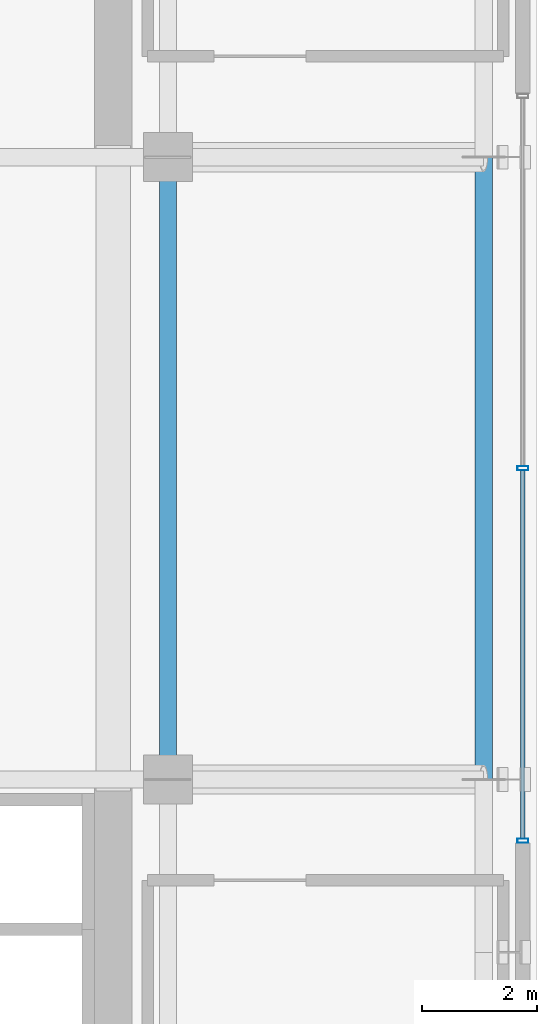
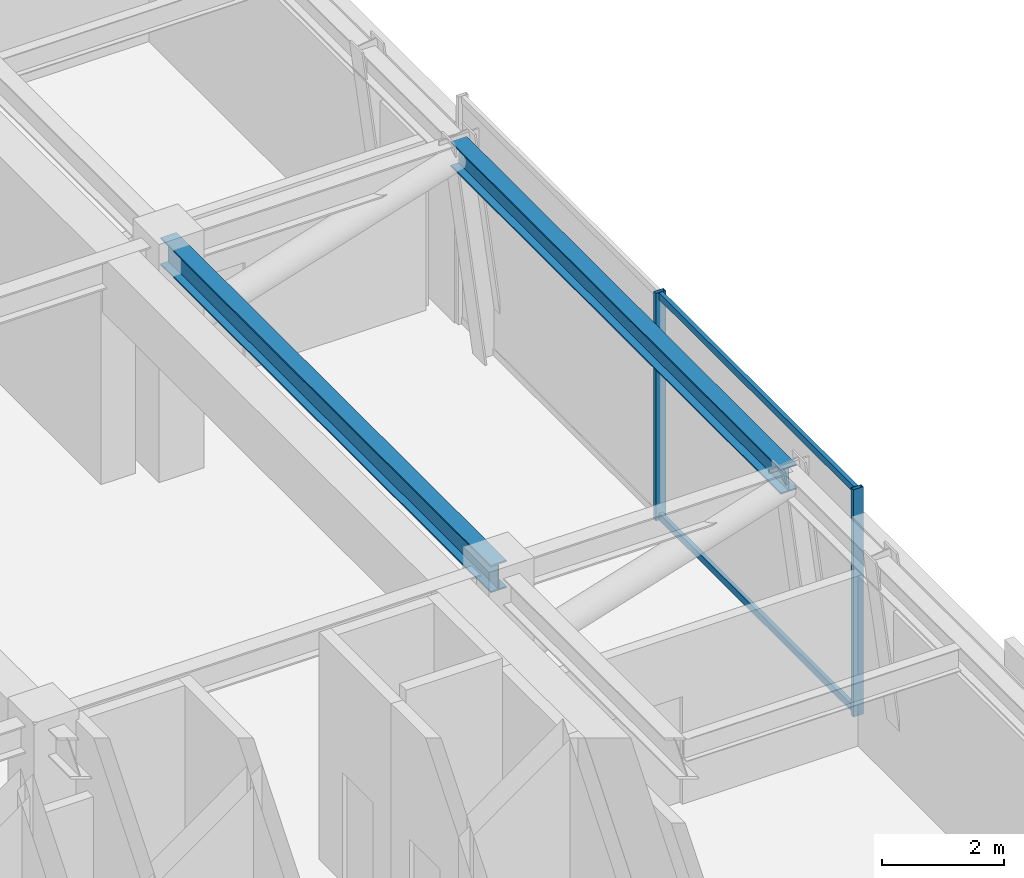
# One storey, part 6 of 15: 4 members, 2 beams, 1 element without a shape of its own.
"""IFC4 building model written with IfcOpenShell, lengths in metres."""

from ifc_helpers import new_model, si_unit, direction, frame, origin, origin_2d, place, context, subcontext, project, spatial, hollow_rectangle, i_section, extrude, source, transform, mapped, material, material_profile, profile_set, type_object, element, aggregate, save


model = new_model("IFC4")

# Units and contexts
model_context = context("Model", 3, precision=1e-05, world=origin(), true_north=direction((0.0, 1.0)))
body_context = subcontext(model_context, "Body", "Model", "MODEL_VIEW")
ifc_project = project(units=[si_unit("LENGTHUNIT", "METRE"), si_unit("AREAUNIT", "SQUARE_METRE"), si_unit("VOLUMEUNIT", "CUBIC_METRE"), si_unit("PLANEANGLEUNIT", "RADIAN"), si_unit("MASSUNIT", "GRAM", prefix="KILO")], contexts=[model_context])

# Site, building, storey
site_placement = place(None, origin())
site = spatial("IfcSite", under=ifc_project, at=site_placement, CompositionType="ELEMENT")
building_placement = place(site_placement, origin())
building = spatial("IfcBuilding", under=site, at=building_placement, Name="Nahalor Promenade Grand Hotel", CompositionType="ELEMENT")
storey_placement = place(building_placement, frame((0.0, 0.0, 144.199951171875)))
storey = spatial("IfcBuildingStorey", under=building, at=storey_placement, Name="L36", CompositionType="ELEMENT", Elevation=144.199951171875)

# Beams
ifc_material_1 = material(Name="Steel S355JR", Category="steel")
ifc_material_profile_1 = material_profile(ifc_material_1, i_section(OverallWidth=0.3, OverallDepth=0.5, WebThickness=0.0145, FlangeThickness=0.028, at=origin_2d()), Name="HEB 500")
ifc_profile_set_1 = profile_set([ifc_material_profile_1], Name="Steel S355JR")
beam_type_1 = type_object("IfcBeamType", Name="Beam-Spandrel-HEB500", PredefinedType="SPANDREL", material=ifc_profile_set_1)
shared_shape_1 = source(origin(), body_context, "Body", "SweptSolid", [
    extrude(i_section(OverallWidth=0.3, OverallDepth=0.5, WebThickness=0.0145, FlangeThickness=0.028, at=origin_2d()), origin(), (0.0, 0.0, 1.0), 10.7998046875),
])
beam_1_placement = place(storey_placement, frame((22.47998046875, -5.39990234375, 4.2900390625), z_axis=(0.0, 1.0, 0.0), x_axis=(-1.0, 0.0, 0.0)))
element("IfcBeam", 1, at=beam_1_placement, inside=storey, type_object=beam_type_1, Name="BM-L36-SP-E-2", PredefinedType="SPANDREL", context=body_context, shape_type="MappedRepresentation", body=[
    mapped(shared_shape_1, transform((0.0, 0.0, 0.0), scale=1.0)),
])
ifc_material_profile_2 = material_profile(ifc_material_1, i_section(OverallWidth=0.3, OverallDepth=0.55, WebThickness=0.015, FlangeThickness=0.029, at=origin_2d()), Name="HEB 550")
ifc_profile_set_2 = profile_set([ifc_material_profile_2], Name="Steel S355JR")
beam_type_2 = type_object("IfcBeamType", Name="Beam-Girder-HEB550", PredefinedType="BEAM", material=ifc_profile_set_2)
shared_shape_2 = source(origin(), body_context, "Body", "SweptSolid", [
    extrude(i_section(OverallWidth=0.3, OverallDepth=0.55, WebThickness=0.015, FlangeThickness=0.029, at=origin_2d()), origin(), (0.0, 0.0, 1.0), 10.7998046875),
])
beam_2_placement = place(storey_placement, frame((17.0, -5.39990234375, 4.26513671875), z_axis=(0.0, 1.0, 0.0), x_axis=(-1.0, 0.0, 0.0)))
element("IfcBeam", 2, at=beam_2_placement, inside=storey, type_object=beam_type_2, Name="BM-L36-GY-5-2", PredefinedType="BEAM", context=body_context, shape_type="MappedRepresentation", body=[
    mapped(shared_shape_2, transform((0.0, 0.0, 0.0), scale=1.0)),
])

# Curtain wall, members
ifc_material_2 = material(Name="Anodised Bronze Aluminium EN AW-6063 T6", Category="aluminium")
curtain_wall_type = type_object("IfcCurtainWallType", Name="CW6 Crown Botanical Conservatory Curtain Wall", PredefinedType="USERDEFINED", material=ifc_material_2)
curtain_wall_placement = place(storey_placement, origin())
curtain_wall = element("IfcCurtainWall", 3, at=curtain_wall_placement, inside=storey, type_object=curtain_wall_type, Name="L36 Curtain Wall CW-L36-E", ObjectType="UNITISED_CURTAIN_WALL", PredefinedType="USERDEFINED")
ifc_material_profile_3 = material_profile(ifc_material_2, hollow_rectangle(XDim=0.075, YDim=0.135, WallThickness=0.004, at=origin_2d()), Name="CWT 75x135x4")
ifc_profile_set_3 = profile_set([ifc_material_profile_3], Name="Anodised Bronze Aluminium EN AW-6063 T6")
member_type_1 = type_object("IfcMemberType", Name="CWT6 Conservatory Transom 75x135", PredefinedType="USERDEFINED", material=ifc_profile_set_3)
shared_shape_3 = source(origin(), body_context, "Body", "SweptSolid", [
    extrude(hollow_rectangle(XDim=0.075, YDim=0.135, WallThickness=0.004, at=origin_2d()), origin(), (0.0, 0.0, 1.0), 6.387451171875),
])
member_1_placement = place(storey_placement, frame((23.159912109375, -6.425048828125, 0.067626953125), z_axis=(0.0, 1.0, 0.0), x_axis=(-1.0, 0.0, 0.0)))
member_1 = element("IfcMember", 4, at=member_1_placement, type_object=member_type_1, Name="CW-L36-E Transom 0-0", ObjectType="TRANSOM", PredefinedType="USERDEFINED", context=body_context, shape_type="MappedRepresentation", body=[
    mapped(shared_shape_3, transform((0.0, 0.0, 0.0), scale=1.0)),
])
member_2_placement = place(storey_placement, frame((23.159912109375, -6.425048828125, 4.47265625), z_axis=(0.0, 1.0, 0.0), x_axis=(-1.0, 0.0, 0.0)))
member_2 = element("IfcMember", 5, at=member_2_placement, type_object=member_type_1, Name="CW-L36-E Transom 0-1", ObjectType="TRANSOM", PredefinedType="USERDEFINED", context=body_context, shape_type="MappedRepresentation", body=[
    mapped(shared_shape_3, transform((0.0, 0.0, 0.0), scale=1.0)),
])
ifc_material_profile_4 = material_profile(ifc_material_2, hollow_rectangle(XDim=0.075, YDim=0.19, WallThickness=0.005, at=origin_2d()), Name="CWM 75x190x5")
ifc_profile_set_4 = profile_set([ifc_material_profile_4], Name="Anodised Bronze Aluminium EN AW-6063 T6")
member_type_2 = type_object("IfcMemberType", Name="CWM6 Conservatory Bronze Mullion 75x190", PredefinedType="MULLION", material=ifc_profile_set_4)
shared_shape_4 = source(origin(), body_context, "Body", "SweptSolid", [
    extrude(hollow_rectangle(XDim=0.075, YDim=0.19, WallThickness=0.005, at=origin_2d()), origin(), (0.0, 0.0, 1.0), 4.5400390625),
])
member_3_placement = place(storey_placement, frame((23.159912109375, -6.46240234375, 0.0), z_axis=(0.0, 0.0, 1.0), x_axis=(0.0, 1.0, 0.0)))
member_3 = element("IfcMember", 6, at=member_3_placement, type_object=member_type_2, Name="CW-L36-E Mullion 0", PredefinedType="MULLION", context=body_context, shape_type="MappedRepresentation", body=[
    mapped(shared_shape_4, transform((0.0, 0.0, 0.0), scale=1.0)),
])
member_4_placement = place(storey_placement, frame((23.159912109375, 0.0, 0.0), z_axis=(0.0, 0.0, 1.0), x_axis=(0.0, 1.0, 0.0)))
member_4 = element("IfcMember", 7, at=member_4_placement, type_object=member_type_2, Name="CW-L36-E Mullion 1", PredefinedType="MULLION", context=body_context, shape_type="MappedRepresentation", body=[
    mapped(shared_shape_4, transform((0.0, 0.0, 0.0), scale=1.0)),
])
aggregate(curtain_wall, [member_3, member_4, member_1, member_2])

save(model, "model.ifc")
